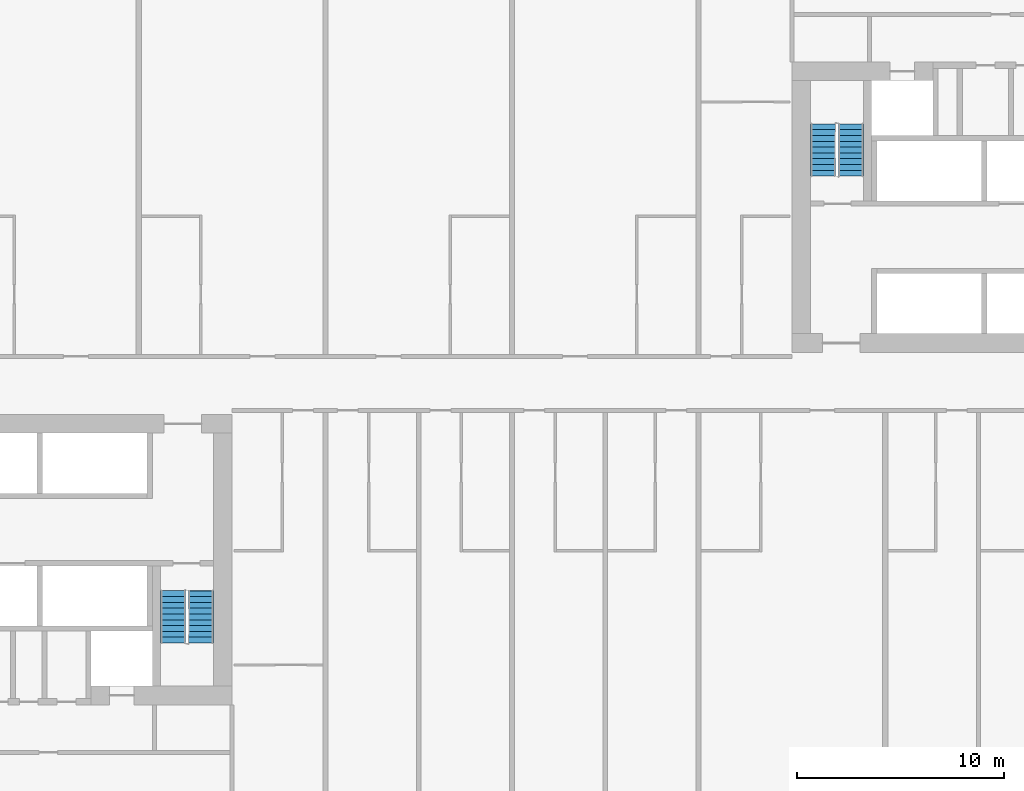
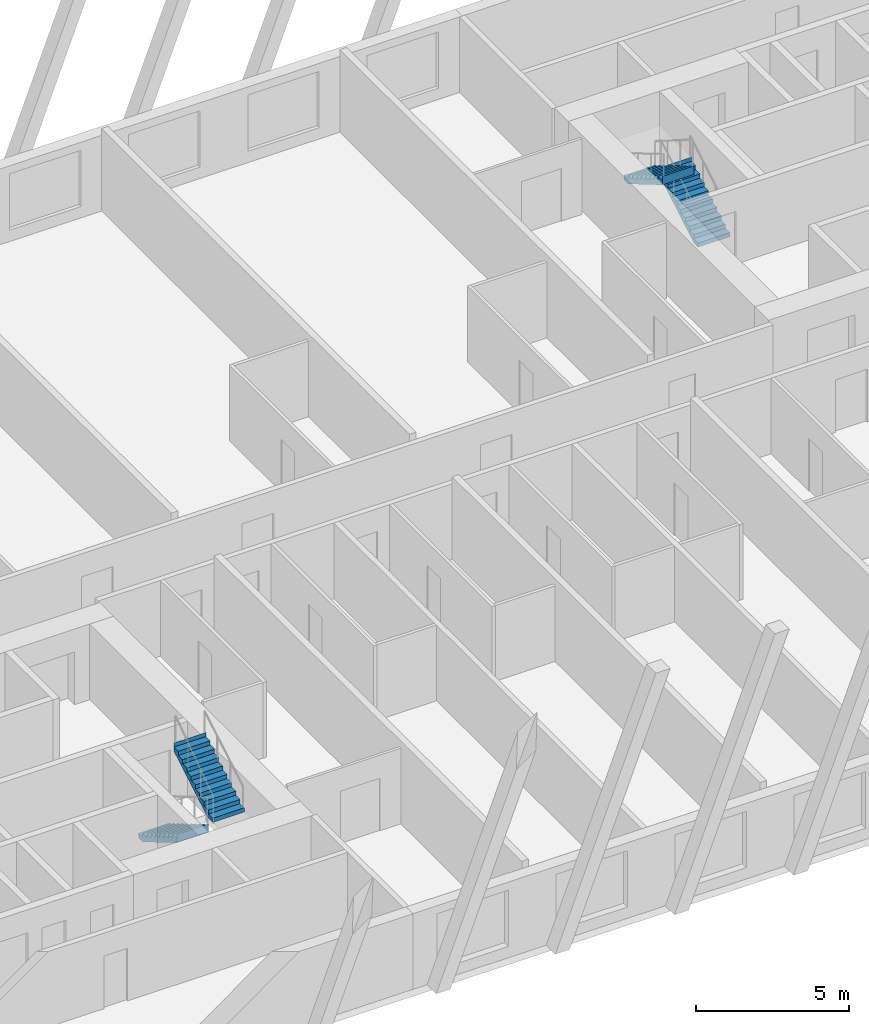
# One storey, part 10 of 13: 4 stair flights, 2 elements without a shape of their own.
"""IFC4 building model written with IfcOpenShell, lengths in metres."""

from ifc_helpers import new_model, si_unit, direction, frame, origin, place, context, subcontext, project, spatial, faceted_brep, material, type_object, element, aggregate, save


model = new_model("IFC4")

# Units and contexts
model_context = context("Model", 3, precision=1e-05, world=origin(), true_north=direction((0.0, 1.0)))
body_context = subcontext(model_context, "Body", "Model", "MODEL_VIEW")
ifc_project = project(units=[si_unit("LENGTHUNIT", "METRE"), si_unit("AREAUNIT", "SQUARE_METRE"), si_unit("VOLUMEUNIT", "CUBIC_METRE"), si_unit("PLANEANGLEUNIT", "RADIAN"), si_unit("MASSUNIT", "GRAM", prefix="KILO")], contexts=[model_context])

# Site, building, storey
site_placement = place(None, origin())
site = spatial("IfcSite", under=ifc_project, at=site_placement, CompositionType="ELEMENT")
building_placement = place(site_placement, origin())
building = spatial("IfcBuilding", under=site, at=building_placement, Name="Kajstack Hotel Tower", CompositionType="ELEMENT")
storey_placement = place(building_placement, frame((0.0, 0.0, 89.699951171875)))
storey = spatial("IfcBuildingStorey", under=building, at=storey_placement, Name="L18", CompositionType="ELEMENT", Elevation=89.699951171875)

# Stair, stair flights
ifc_material = material(Name="Concrete C40/50", Category="concrete")
stair_type = type_object("IfcStairType", Name="Exit stair 1200", PredefinedType="HALF_TURN_STAIR", material=ifc_material)
stair_1_placement = place(storey_placement, origin())
stair_1 = element("IfcStair", 1, at=stair_1_placement, inside=storey, type_object=stair_type, Name="L18 stair W2", PredefinedType="HALF_TURN_STAIR")
stair_flight_type = type_object("IfcStairFlightType", Name="Exit stair flight 1200", PredefinedType="STRAIGHT", material=ifc_material)
stair_flight_1_placement = place(storey_placement, frame((-16.35009765625, -10.0, 0.0), z_axis=(0.0, 0.0, 1.0), x_axis=(0.0, -1.0, 0.0)))
stair_flight_1 = element("IfcStairFlight", 2, at=stair_flight_1_placement, type_object=stair_flight_type, Name="W2 flight 1", NumberOfRisers=10, NumberOfTreads=9, PredefinedType="STRAIGHT", RiserHeight=0.165, TreadLength=0.28, context=body_context, shape_type="Brep", body=[
    faceted_brep([(0.295654296875, -0.60009765625, 0.0), (2.5205078125, -0.60009765625, 1.31103515625), (2.5205078125, -0.60009765625, 1.64990234375), (2.52001953125, -0.60009765625, 1.64990234375), (2.52001953125, -0.60009765625, 1.485107421875), (2.239990234375, -0.60009765625, 1.485107421875), (2.239990234375, -0.60009765625, 1.320068359375), (1.9599609375, -0.60009765625, 1.320068359375), (1.9599609375, -0.60009765625, 1.155029296875), (1.679931640625, -0.60009765625, 1.155029296875), (1.679931640625, -0.60009765625, 0.989990234375), (1.39990234375, -0.60009765625, 0.989990234375), (1.39990234375, -0.60009765625, 0.824951171875), (1.1201171875, -0.60009765625, 0.824951171875), (1.1201171875, -0.60009765625, 0.659912109375), (0.840087890625, -0.60009765625, 0.659912109375), (0.840087890625, -0.60009765625, 0.4951171875), (0.56005859375, -0.60009765625, 0.4951171875), (0.56005859375, -0.60009765625, 0.330078125), (0.280029296875, -0.60009765625, 0.330078125), (0.280029296875, -0.60009765625, 0.1650390625), (-0.00048828125, -0.60009765625, 0.1650390625), (-0.00048828125, -0.60009765625, 0.0), (-0.00048828125, 0.60009765625, 0.0), (-0.00048828125, 0.60009765625, 0.1650390625), (0.280029296875, 0.60009765625, 0.1650390625), (0.280029296875, 0.60009765625, 0.330078125), (0.56005859375, 0.60009765625, 0.330078125), (0.56005859375, 0.60009765625, 0.4951171875), (0.840087890625, 0.60009765625, 0.4951171875), (0.840087890625, 0.60009765625, 0.659912109375), (1.1201171875, 0.60009765625, 0.659912109375), (1.1201171875, 0.60009765625, 0.824951171875), (1.39990234375, 0.60009765625, 0.824951171875), (1.39990234375, 0.60009765625, 0.989990234375), (1.679931640625, 0.60009765625, 0.989990234375), (1.679931640625, 0.60009765625, 1.155029296875), (1.9599609375, 0.60009765625, 1.155029296875), (1.9599609375, 0.60009765625, 1.320068359375), (2.239990234375, 0.60009765625, 1.320068359375), (2.239990234375, 0.60009765625, 1.485107421875), (2.52001953125, 0.60009765625, 1.485107421875), (2.52001953125, 0.60009765625, 1.64990234375), (2.5205078125, 0.60009765625, 1.64990234375), (2.5205078125, 0.60009765625, 1.31103515625), (0.295654296875, 0.60009765625, 0.0), (-0.00048828125, -0.300048828125, 0.1650390625), (-0.00048828125, 0.0, 0.1650390625), (-0.00048828125, 0.300048828125, 0.1650390625), (-0.00048828125, 0.300048828125, 0.0), (-0.00048828125, 0.0, 0.0), (-0.00048828125, -0.300048828125, 0.0), (0.280029296875, -0.300048828125, 0.1650390625), (0.280029296875, 0.0, 0.1650390625), (0.280029296875, 0.300048828125, 0.1650390625), (0.280029296875, -0.300048828125, 0.330078125), (0.280029296875, 0.0, 0.330078125), (0.280029296875, 0.300048828125, 0.330078125), (0.56005859375, -0.300048828125, 0.330078125), (0.56005859375, 0.0, 0.330078125), (0.56005859375, 0.300048828125, 0.330078125), (0.56005859375, -0.300048828125, 0.4951171875), (0.56005859375, 0.0, 0.4951171875), (0.56005859375, 0.300048828125, 0.4951171875), (0.840087890625, -0.300048828125, 0.4951171875), (0.840087890625, 0.0, 0.4951171875), (0.840087890625, 0.300048828125, 0.4951171875), (0.840087890625, -0.300048828125, 0.659912109375), (0.840087890625, 0.0, 0.659912109375), (0.840087890625, 0.300048828125, 0.659912109375), (1.1201171875, -0.300048828125, 0.659912109375), (1.1201171875, 0.0, 0.659912109375), (1.1201171875, 0.300048828125, 0.659912109375), (1.1201171875, -0.300048828125, 0.824951171875), (1.1201171875, 0.0, 0.824951171875), (1.1201171875, 0.300048828125, 0.824951171875), (1.39990234375, -0.300048828125, 0.824951171875), (1.39990234375, 0.0, 0.824951171875), (1.39990234375, 0.300048828125, 0.824951171875), (1.39990234375, -0.300048828125, 0.989990234375), (1.39990234375, 0.0, 0.989990234375), (1.39990234375, 0.300048828125, 0.989990234375), (1.679931640625, -0.300048828125, 0.989990234375), (1.679931640625, 0.0, 0.989990234375), (1.679931640625, 0.300048828125, 0.989990234375), (1.679931640625, -0.300048828125, 1.155029296875), (1.679931640625, 0.0, 1.155029296875), (1.679931640625, 0.300048828125, 1.155029296875), (1.9599609375, -0.300048828125, 1.155029296875), (1.9599609375, 0.0, 1.155029296875), (1.9599609375, 0.300048828125, 1.155029296875), (1.9599609375, -0.300048828125, 1.320068359375), (1.9599609375, 0.0, 1.320068359375), (1.9599609375, 0.300048828125, 1.320068359375), (2.239990234375, -0.300048828125, 1.320068359375), (2.239990234375, 0.0, 1.320068359375), (2.239990234375, 0.300048828125, 1.320068359375), (2.239990234375, -0.300048828125, 1.485107421875), (2.239990234375, 0.0, 1.485107421875), (2.239990234375, 0.300048828125, 1.485107421875), (2.52001953125, -0.300048828125, 1.485107421875), (2.52001953125, 0.0, 1.485107421875), (2.52001953125, 0.300048828125, 1.485107421875), (2.52001953125, -0.300048828125, 1.64990234375), (2.52001953125, 0.0, 1.64990234375), (2.52001953125, 0.300048828125, 1.64990234375), (2.5205078125, -0.300048828125, 1.64990234375), (2.5205078125, 0.0, 1.64990234375), (2.5205078125, 0.300048828125, 1.64990234375), (2.5205078125, -0.300048828125, 1.31103515625), (2.5205078125, 0.0, 1.31103515625), (2.5205078125, 0.300048828125, 1.31103515625), (0.295654296875, -0.300048828125, 0.0), (0.295654296875, 0.0, 0.0), (0.295654296875, 0.300048828125, 0.0)], [[[0, 1, 2, 3, 4, 5, 6, 7, 8, 9, 10, 11, 12, 13, 14, 15, 16, 17, 18, 19, 20, 21, 22]], [[23, 24, 25, 26, 27, 28, 29, 30, 31, 32, 33, 34, 35, 36, 37, 38, 39, 40, 41, 42, 43, 44, 45]], [[21, 46, 47, 48, 24, 23, 49, 50, 51, 22]], [[20, 52, 53, 54, 25, 24, 48, 47, 46, 21]], [[19, 55, 56, 57, 26, 25, 54, 53, 52, 20]], [[18, 58, 59, 60, 27, 26, 57, 56, 55, 19]], [[17, 61, 62, 63, 28, 27, 60, 59, 58, 18]], [[16, 64, 65, 66, 29, 28, 63, 62, 61, 17]], [[15, 67, 68, 69, 30, 29, 66, 65, 64, 16]], [[14, 70, 71, 72, 31, 30, 69, 68, 67, 15]], [[13, 73, 74, 75, 32, 31, 72, 71, 70, 14]], [[12, 76, 77, 78, 33, 32, 75, 74, 73, 13]], [[11, 79, 80, 81, 34, 33, 78, 77, 76, 12]], [[10, 82, 83, 84, 35, 34, 81, 80, 79, 11]], [[9, 85, 86, 87, 36, 35, 84, 83, 82, 10]], [[8, 88, 89, 90, 37, 36, 87, 86, 85, 9]], [[7, 91, 92, 93, 38, 37, 90, 89, 88, 8]], [[6, 94, 95, 96, 39, 38, 93, 92, 91, 7]], [[5, 97, 98, 99, 40, 39, 96, 95, 94, 6]], [[4, 100, 101, 102, 41, 40, 99, 98, 97, 5]], [[3, 103, 104, 105, 42, 41, 102, 101, 100, 4]], [[2, 106, 107, 108, 43, 42, 105, 104, 103, 3]], [[1, 109, 110, 111, 44, 43, 108, 107, 106, 2]], [[0, 112, 113, 114, 45, 44, 111, 110, 109, 1]], [[22, 51, 50, 49, 23, 45, 114, 113, 112, 0]]]),
])
stair_flight_2_placement = place(storey_placement, frame((-15.0, -12.52001953125, 1.650146484375), z_axis=(0.0, 0.0, 1.0), x_axis=(0.0, 1.0, 0.0)))
stair_flight_2 = element("IfcStairFlight", 3, at=stair_flight_2_placement, type_object=stair_flight_type, Name="W2 flight 2", NumberOfRisers=10, NumberOfTreads=9, PredefinedType="STRAIGHT", RiserHeight=0.165, TreadLength=0.28, context=body_context, shape_type="Brep", body=[
    faceted_brep([(0.295654296875, -0.60009765625, 0.0), (2.5205078125, -0.60009765625, 1.31103515625), (2.5205078125, -0.60009765625, 1.64990234375), (2.52001953125, -0.60009765625, 1.64990234375), (2.52001953125, -0.60009765625, 1.485107421875), (2.239990234375, -0.60009765625, 1.485107421875), (2.239990234375, -0.60009765625, 1.320068359375), (1.9599609375, -0.60009765625, 1.320068359375), (1.9599609375, -0.60009765625, 1.155029296875), (1.679931640625, -0.60009765625, 1.155029296875), (1.679931640625, -0.60009765625, 0.989990234375), (1.39990234375, -0.60009765625, 0.989990234375), (1.39990234375, -0.60009765625, 0.824951171875), (1.1201171875, -0.60009765625, 0.824951171875), (1.1201171875, -0.60009765625, 0.659912109375), (0.840087890625, -0.60009765625, 0.659912109375), (0.840087890625, -0.60009765625, 0.4951171875), (0.56005859375, -0.60009765625, 0.4951171875), (0.56005859375, -0.60009765625, 0.330078125), (0.280029296875, -0.60009765625, 0.330078125), (0.280029296875, -0.60009765625, 0.1650390625), (-0.00048828125, -0.60009765625, 0.1650390625), (-0.00048828125, -0.60009765625, 0.0), (-0.00048828125, 0.60009765625, 0.0), (-0.00048828125, 0.60009765625, 0.1650390625), (0.280029296875, 0.60009765625, 0.1650390625), (0.280029296875, 0.60009765625, 0.330078125), (0.56005859375, 0.60009765625, 0.330078125), (0.56005859375, 0.60009765625, 0.4951171875), (0.840087890625, 0.60009765625, 0.4951171875), (0.840087890625, 0.60009765625, 0.659912109375), (1.1201171875, 0.60009765625, 0.659912109375), (1.1201171875, 0.60009765625, 0.824951171875), (1.39990234375, 0.60009765625, 0.824951171875), (1.39990234375, 0.60009765625, 0.989990234375), (1.679931640625, 0.60009765625, 0.989990234375), (1.679931640625, 0.60009765625, 1.155029296875), (1.9599609375, 0.60009765625, 1.155029296875), (1.9599609375, 0.60009765625, 1.320068359375), (2.239990234375, 0.60009765625, 1.320068359375), (2.239990234375, 0.60009765625, 1.485107421875), (2.52001953125, 0.60009765625, 1.485107421875), (2.52001953125, 0.60009765625, 1.64990234375), (2.5205078125, 0.60009765625, 1.64990234375), (2.5205078125, 0.60009765625, 1.31103515625), (0.295654296875, 0.60009765625, 0.0), (-0.00048828125, -0.300048828125, 0.1650390625), (-0.00048828125, 0.0, 0.1650390625), (-0.00048828125, 0.300048828125, 0.1650390625), (-0.00048828125, 0.300048828125, 0.0), (-0.00048828125, 0.0, 0.0), (-0.00048828125, -0.300048828125, 0.0), (0.280029296875, -0.300048828125, 0.1650390625), (0.280029296875, 0.0, 0.1650390625), (0.280029296875, 0.300048828125, 0.1650390625), (0.280029296875, -0.300048828125, 0.330078125), (0.280029296875, 0.0, 0.330078125), (0.280029296875, 0.300048828125, 0.330078125), (0.56005859375, -0.300048828125, 0.330078125), (0.56005859375, 0.0, 0.330078125), (0.56005859375, 0.300048828125, 0.330078125), (0.56005859375, -0.300048828125, 0.4951171875), (0.56005859375, 0.0, 0.4951171875), (0.56005859375, 0.300048828125, 0.4951171875), (0.840087890625, -0.300048828125, 0.4951171875), (0.840087890625, 0.0, 0.4951171875), (0.840087890625, 0.300048828125, 0.4951171875), (0.840087890625, -0.300048828125, 0.659912109375), (0.840087890625, 0.0, 0.659912109375), (0.840087890625, 0.300048828125, 0.659912109375), (1.1201171875, -0.300048828125, 0.659912109375), (1.1201171875, 0.0, 0.659912109375), (1.1201171875, 0.300048828125, 0.659912109375), (1.1201171875, -0.300048828125, 0.824951171875), (1.1201171875, 0.0, 0.824951171875), (1.1201171875, 0.300048828125, 0.824951171875), (1.39990234375, -0.300048828125, 0.824951171875), (1.39990234375, 0.0, 0.824951171875), (1.39990234375, 0.300048828125, 0.824951171875), (1.39990234375, -0.300048828125, 0.989990234375), (1.39990234375, 0.0, 0.989990234375), (1.39990234375, 0.300048828125, 0.989990234375), (1.679931640625, -0.300048828125, 0.989990234375), (1.679931640625, 0.0, 0.989990234375), (1.679931640625, 0.300048828125, 0.989990234375), (1.679931640625, -0.300048828125, 1.155029296875), (1.679931640625, 0.0, 1.155029296875), (1.679931640625, 0.300048828125, 1.155029296875), (1.9599609375, -0.300048828125, 1.155029296875), (1.9599609375, 0.0, 1.155029296875), (1.9599609375, 0.300048828125, 1.155029296875), (1.9599609375, -0.300048828125, 1.320068359375), (1.9599609375, 0.0, 1.320068359375), (1.9599609375, 0.300048828125, 1.320068359375), (2.239990234375, -0.300048828125, 1.320068359375), (2.239990234375, 0.0, 1.320068359375), (2.239990234375, 0.300048828125, 1.320068359375), (2.239990234375, -0.300048828125, 1.485107421875), (2.239990234375, 0.0, 1.485107421875), (2.239990234375, 0.300048828125, 1.485107421875), (2.52001953125, -0.300048828125, 1.485107421875), (2.52001953125, 0.0, 1.485107421875), (2.52001953125, 0.300048828125, 1.485107421875), (2.52001953125, -0.300048828125, 1.64990234375), (2.52001953125, 0.0, 1.64990234375), (2.52001953125, 0.300048828125, 1.64990234375), (2.5205078125, -0.300048828125, 1.64990234375), (2.5205078125, 0.0, 1.64990234375), (2.5205078125, 0.300048828125, 1.64990234375), (2.5205078125, -0.300048828125, 1.31103515625), (2.5205078125, 0.0, 1.31103515625), (2.5205078125, 0.300048828125, 1.31103515625), (0.295654296875, -0.300048828125, 0.0), (0.295654296875, 0.0, 0.0), (0.295654296875, 0.300048828125, 0.0)], [[[0, 1, 2, 3, 4, 5, 6, 7, 8, 9, 10, 11, 12, 13, 14, 15, 16, 17, 18, 19, 20, 21, 22]], [[23, 24, 25, 26, 27, 28, 29, 30, 31, 32, 33, 34, 35, 36, 37, 38, 39, 40, 41, 42, 43, 44, 45]], [[21, 46, 47, 48, 24, 23, 49, 50, 51, 22]], [[20, 52, 53, 54, 25, 24, 48, 47, 46, 21]], [[19, 55, 56, 57, 26, 25, 54, 53, 52, 20]], [[18, 58, 59, 60, 27, 26, 57, 56, 55, 19]], [[17, 61, 62, 63, 28, 27, 60, 59, 58, 18]], [[16, 64, 65, 66, 29, 28, 63, 62, 61, 17]], [[15, 67, 68, 69, 30, 29, 66, 65, 64, 16]], [[14, 70, 71, 72, 31, 30, 69, 68, 67, 15]], [[13, 73, 74, 75, 32, 31, 72, 71, 70, 14]], [[12, 76, 77, 78, 33, 32, 75, 74, 73, 13]], [[11, 79, 80, 81, 34, 33, 78, 77, 76, 12]], [[10, 82, 83, 84, 35, 34, 81, 80, 79, 11]], [[9, 85, 86, 87, 36, 35, 84, 83, 82, 10]], [[8, 88, 89, 90, 37, 36, 87, 86, 85, 9]], [[7, 91, 92, 93, 38, 37, 90, 89, 88, 8]], [[6, 94, 95, 96, 39, 38, 93, 92, 91, 7]], [[5, 97, 98, 99, 40, 39, 96, 95, 94, 6]], [[4, 100, 101, 102, 41, 40, 99, 98, 97, 5]], [[3, 103, 104, 105, 42, 41, 102, 101, 100, 4]], [[2, 106, 107, 108, 43, 42, 105, 104, 103, 3]], [[1, 109, 110, 111, 44, 43, 108, 107, 106, 2]], [[0, 112, 113, 114, 45, 44, 111, 110, 109, 1]], [[22, 51, 50, 49, 23, 45, 114, 113, 112, 0]]]),
])
aggregate(stair_1, [stair_flight_1, stair_flight_2])

stair_2_placement = place(storey_placement, origin())
stair_2 = element("IfcStair", 4, at=stair_2_placement, inside=storey, type_object=stair_type, Name="L18 stair E2", PredefinedType="HALF_TURN_STAIR")
stair_flight_3_placement = place(storey_placement, frame((16.35009765625, 10.0, 0.0), z_axis=(0.0, 0.0, 1.0), x_axis=(0.0, 1.0, 0.0)))
stair_flight_3 = element("IfcStairFlight", 5, at=stair_flight_3_placement, type_object=stair_flight_type, Name="E2 flight 1", NumberOfRisers=10, NumberOfTreads=9, PredefinedType="STRAIGHT", RiserHeight=0.165, TreadLength=0.28, context=body_context, shape_type="Brep", body=[
    faceted_brep([(0.295654296875, -0.60009765625, 0.0), (2.5205078125, -0.60009765625, 1.31103515625), (2.5205078125, -0.60009765625, 1.64990234375), (2.52001953125, -0.60009765625, 1.64990234375), (2.52001953125, -0.60009765625, 1.485107421875), (2.239990234375, -0.60009765625, 1.485107421875), (2.239990234375, -0.60009765625, 1.320068359375), (1.9599609375, -0.60009765625, 1.320068359375), (1.9599609375, -0.60009765625, 1.155029296875), (1.679931640625, -0.60009765625, 1.155029296875), (1.679931640625, -0.60009765625, 0.989990234375), (1.39990234375, -0.60009765625, 0.989990234375), (1.39990234375, -0.60009765625, 0.824951171875), (1.1201171875, -0.60009765625, 0.824951171875), (1.1201171875, -0.60009765625, 0.659912109375), (0.840087890625, -0.60009765625, 0.659912109375), (0.840087890625, -0.60009765625, 0.4951171875), (0.56005859375, -0.60009765625, 0.4951171875), (0.56005859375, -0.60009765625, 0.330078125), (0.280029296875, -0.60009765625, 0.330078125), (0.280029296875, -0.60009765625, 0.1650390625), (-0.00048828125, -0.60009765625, 0.1650390625), (-0.00048828125, -0.60009765625, 0.0), (-0.00048828125, 0.60009765625, 0.0), (-0.00048828125, 0.60009765625, 0.1650390625), (0.280029296875, 0.60009765625, 0.1650390625), (0.280029296875, 0.60009765625, 0.330078125), (0.56005859375, 0.60009765625, 0.330078125), (0.56005859375, 0.60009765625, 0.4951171875), (0.840087890625, 0.60009765625, 0.4951171875), (0.840087890625, 0.60009765625, 0.659912109375), (1.1201171875, 0.60009765625, 0.659912109375), (1.1201171875, 0.60009765625, 0.824951171875), (1.39990234375, 0.60009765625, 0.824951171875), (1.39990234375, 0.60009765625, 0.989990234375), (1.679931640625, 0.60009765625, 0.989990234375), (1.679931640625, 0.60009765625, 1.155029296875), (1.9599609375, 0.60009765625, 1.155029296875), (1.9599609375, 0.60009765625, 1.320068359375), (2.239990234375, 0.60009765625, 1.320068359375), (2.239990234375, 0.60009765625, 1.485107421875), (2.52001953125, 0.60009765625, 1.485107421875), (2.52001953125, 0.60009765625, 1.64990234375), (2.5205078125, 0.60009765625, 1.64990234375), (2.5205078125, 0.60009765625, 1.31103515625), (0.295654296875, 0.60009765625, 0.0), (-0.00048828125, -0.300048828125, 0.1650390625), (-0.00048828125, 0.0, 0.1650390625), (-0.00048828125, 0.300048828125, 0.1650390625), (-0.00048828125, 0.300048828125, 0.0), (-0.00048828125, 0.0, 0.0), (-0.00048828125, -0.300048828125, 0.0), (0.280029296875, -0.300048828125, 0.1650390625), (0.280029296875, 0.0, 0.1650390625), (0.280029296875, 0.300048828125, 0.1650390625), (0.280029296875, -0.300048828125, 0.330078125), (0.280029296875, 0.0, 0.330078125), (0.280029296875, 0.300048828125, 0.330078125), (0.56005859375, -0.300048828125, 0.330078125), (0.56005859375, 0.0, 0.330078125), (0.56005859375, 0.300048828125, 0.330078125), (0.56005859375, -0.300048828125, 0.4951171875), (0.56005859375, 0.0, 0.4951171875), (0.56005859375, 0.300048828125, 0.4951171875), (0.840087890625, -0.300048828125, 0.4951171875), (0.840087890625, 0.0, 0.4951171875), (0.840087890625, 0.300048828125, 0.4951171875), (0.840087890625, -0.300048828125, 0.659912109375), (0.840087890625, 0.0, 0.659912109375), (0.840087890625, 0.300048828125, 0.659912109375), (1.1201171875, -0.300048828125, 0.659912109375), (1.1201171875, 0.0, 0.659912109375), (1.1201171875, 0.300048828125, 0.659912109375), (1.1201171875, -0.300048828125, 0.824951171875), (1.1201171875, 0.0, 0.824951171875), (1.1201171875, 0.300048828125, 0.824951171875), (1.39990234375, -0.300048828125, 0.824951171875), (1.39990234375, 0.0, 0.824951171875), (1.39990234375, 0.300048828125, 0.824951171875), (1.39990234375, -0.300048828125, 0.989990234375), (1.39990234375, 0.0, 0.989990234375), (1.39990234375, 0.300048828125, 0.989990234375), (1.679931640625, -0.300048828125, 0.989990234375), (1.679931640625, 0.0, 0.989990234375), (1.679931640625, 0.300048828125, 0.989990234375), (1.679931640625, -0.300048828125, 1.155029296875), (1.679931640625, 0.0, 1.155029296875), (1.679931640625, 0.300048828125, 1.155029296875), (1.9599609375, -0.300048828125, 1.155029296875), (1.9599609375, 0.0, 1.155029296875), (1.9599609375, 0.300048828125, 1.155029296875), (1.9599609375, -0.300048828125, 1.320068359375), (1.9599609375, 0.0, 1.320068359375), (1.9599609375, 0.300048828125, 1.320068359375), (2.239990234375, -0.300048828125, 1.320068359375), (2.239990234375, 0.0, 1.320068359375), (2.239990234375, 0.300048828125, 1.320068359375), (2.239990234375, -0.300048828125, 1.485107421875), (2.239990234375, 0.0, 1.485107421875), (2.239990234375, 0.300048828125, 1.485107421875), (2.52001953125, -0.300048828125, 1.485107421875), (2.52001953125, 0.0, 1.485107421875), (2.52001953125, 0.300048828125, 1.485107421875), (2.52001953125, -0.300048828125, 1.64990234375), (2.52001953125, 0.0, 1.64990234375), (2.52001953125, 0.300048828125, 1.64990234375), (2.5205078125, -0.300048828125, 1.64990234375), (2.5205078125, 0.0, 1.64990234375), (2.5205078125, 0.300048828125, 1.64990234375), (2.5205078125, -0.300048828125, 1.31103515625), (2.5205078125, 0.0, 1.31103515625), (2.5205078125, 0.300048828125, 1.31103515625), (0.295654296875, -0.300048828125, 0.0), (0.295654296875, 0.0, 0.0), (0.295654296875, 0.300048828125, 0.0)], [[[0, 1, 2, 3, 4, 5, 6, 7, 8, 9, 10, 11, 12, 13, 14, 15, 16, 17, 18, 19, 20, 21, 22]], [[23, 24, 25, 26, 27, 28, 29, 30, 31, 32, 33, 34, 35, 36, 37, 38, 39, 40, 41, 42, 43, 44, 45]], [[21, 46, 47, 48, 24, 23, 49, 50, 51, 22]], [[20, 52, 53, 54, 25, 24, 48, 47, 46, 21]], [[19, 55, 56, 57, 26, 25, 54, 53, 52, 20]], [[18, 58, 59, 60, 27, 26, 57, 56, 55, 19]], [[17, 61, 62, 63, 28, 27, 60, 59, 58, 18]], [[16, 64, 65, 66, 29, 28, 63, 62, 61, 17]], [[15, 67, 68, 69, 30, 29, 66, 65, 64, 16]], [[14, 70, 71, 72, 31, 30, 69, 68, 67, 15]], [[13, 73, 74, 75, 32, 31, 72, 71, 70, 14]], [[12, 76, 77, 78, 33, 32, 75, 74, 73, 13]], [[11, 79, 80, 81, 34, 33, 78, 77, 76, 12]], [[10, 82, 83, 84, 35, 34, 81, 80, 79, 11]], [[9, 85, 86, 87, 36, 35, 84, 83, 82, 10]], [[8, 88, 89, 90, 37, 36, 87, 86, 85, 9]], [[7, 91, 92, 93, 38, 37, 90, 89, 88, 8]], [[6, 94, 95, 96, 39, 38, 93, 92, 91, 7]], [[5, 97, 98, 99, 40, 39, 96, 95, 94, 6]], [[4, 100, 101, 102, 41, 40, 99, 98, 97, 5]], [[3, 103, 104, 105, 42, 41, 102, 101, 100, 4]], [[2, 106, 107, 108, 43, 42, 105, 104, 103, 3]], [[1, 109, 110, 111, 44, 43, 108, 107, 106, 2]], [[0, 112, 113, 114, 45, 44, 111, 110, 109, 1]], [[22, 51, 50, 49, 23, 45, 114, 113, 112, 0]]]),
])
stair_flight_4_placement = place(storey_placement, frame((15.0, 12.52001953125, 1.650146484375), z_axis=(0.0, 0.0, 1.0), x_axis=(0.0, -1.0, 0.0)))
stair_flight_4 = element("IfcStairFlight", 6, at=stair_flight_4_placement, type_object=stair_flight_type, Name="E2 flight 2", NumberOfRisers=10, NumberOfTreads=9, PredefinedType="STRAIGHT", RiserHeight=0.165, TreadLength=0.28, context=body_context, shape_type="Brep", body=[
    faceted_brep([(0.295654296875, -0.60009765625, 0.0), (2.5205078125, -0.60009765625, 1.31103515625), (2.5205078125, -0.60009765625, 1.64990234375), (2.52001953125, -0.60009765625, 1.64990234375), (2.52001953125, -0.60009765625, 1.485107421875), (2.239990234375, -0.60009765625, 1.485107421875), (2.239990234375, -0.60009765625, 1.320068359375), (1.9599609375, -0.60009765625, 1.320068359375), (1.9599609375, -0.60009765625, 1.155029296875), (1.679931640625, -0.60009765625, 1.155029296875), (1.679931640625, -0.60009765625, 0.989990234375), (1.39990234375, -0.60009765625, 0.989990234375), (1.39990234375, -0.60009765625, 0.824951171875), (1.1201171875, -0.60009765625, 0.824951171875), (1.1201171875, -0.60009765625, 0.659912109375), (0.840087890625, -0.60009765625, 0.659912109375), (0.840087890625, -0.60009765625, 0.4951171875), (0.56005859375, -0.60009765625, 0.4951171875), (0.56005859375, -0.60009765625, 0.330078125), (0.280029296875, -0.60009765625, 0.330078125), (0.280029296875, -0.60009765625, 0.1650390625), (-0.00048828125, -0.60009765625, 0.1650390625), (-0.00048828125, -0.60009765625, 0.0), (-0.00048828125, 0.60009765625, 0.0), (-0.00048828125, 0.60009765625, 0.1650390625), (0.280029296875, 0.60009765625, 0.1650390625), (0.280029296875, 0.60009765625, 0.330078125), (0.56005859375, 0.60009765625, 0.330078125), (0.56005859375, 0.60009765625, 0.4951171875), (0.840087890625, 0.60009765625, 0.4951171875), (0.840087890625, 0.60009765625, 0.659912109375), (1.1201171875, 0.60009765625, 0.659912109375), (1.1201171875, 0.60009765625, 0.824951171875), (1.39990234375, 0.60009765625, 0.824951171875), (1.39990234375, 0.60009765625, 0.989990234375), (1.679931640625, 0.60009765625, 0.989990234375), (1.679931640625, 0.60009765625, 1.155029296875), (1.9599609375, 0.60009765625, 1.155029296875), (1.9599609375, 0.60009765625, 1.320068359375), (2.239990234375, 0.60009765625, 1.320068359375), (2.239990234375, 0.60009765625, 1.485107421875), (2.52001953125, 0.60009765625, 1.485107421875), (2.52001953125, 0.60009765625, 1.64990234375), (2.5205078125, 0.60009765625, 1.64990234375), (2.5205078125, 0.60009765625, 1.31103515625), (0.295654296875, 0.60009765625, 0.0), (-0.00048828125, -0.300048828125, 0.1650390625), (-0.00048828125, 0.0, 0.1650390625), (-0.00048828125, 0.300048828125, 0.1650390625), (-0.00048828125, 0.300048828125, 0.0), (-0.00048828125, 0.0, 0.0), (-0.00048828125, -0.300048828125, 0.0), (0.280029296875, -0.300048828125, 0.1650390625), (0.280029296875, 0.0, 0.1650390625), (0.280029296875, 0.300048828125, 0.1650390625), (0.280029296875, -0.300048828125, 0.330078125), (0.280029296875, 0.0, 0.330078125), (0.280029296875, 0.300048828125, 0.330078125), (0.56005859375, -0.300048828125, 0.330078125), (0.56005859375, 0.0, 0.330078125), (0.56005859375, 0.300048828125, 0.330078125), (0.56005859375, -0.300048828125, 0.4951171875), (0.56005859375, 0.0, 0.4951171875), (0.56005859375, 0.300048828125, 0.4951171875), (0.840087890625, -0.300048828125, 0.4951171875), (0.840087890625, 0.0, 0.4951171875), (0.840087890625, 0.300048828125, 0.4951171875), (0.840087890625, -0.300048828125, 0.659912109375), (0.840087890625, 0.0, 0.659912109375), (0.840087890625, 0.300048828125, 0.659912109375), (1.1201171875, -0.300048828125, 0.659912109375), (1.1201171875, 0.0, 0.659912109375), (1.1201171875, 0.300048828125, 0.659912109375), (1.1201171875, -0.300048828125, 0.824951171875), (1.1201171875, 0.0, 0.824951171875), (1.1201171875, 0.300048828125, 0.824951171875), (1.39990234375, -0.300048828125, 0.824951171875), (1.39990234375, 0.0, 0.824951171875), (1.39990234375, 0.300048828125, 0.824951171875), (1.39990234375, -0.300048828125, 0.989990234375), (1.39990234375, 0.0, 0.989990234375), (1.39990234375, 0.300048828125, 0.989990234375), (1.679931640625, -0.300048828125, 0.989990234375), (1.679931640625, 0.0, 0.989990234375), (1.679931640625, 0.300048828125, 0.989990234375), (1.679931640625, -0.300048828125, 1.155029296875), (1.679931640625, 0.0, 1.155029296875), (1.679931640625, 0.300048828125, 1.155029296875), (1.9599609375, -0.300048828125, 1.155029296875), (1.9599609375, 0.0, 1.155029296875), (1.9599609375, 0.300048828125, 1.155029296875), (1.9599609375, -0.300048828125, 1.320068359375), (1.9599609375, 0.0, 1.320068359375), (1.9599609375, 0.300048828125, 1.320068359375), (2.239990234375, -0.300048828125, 1.320068359375), (2.239990234375, 0.0, 1.320068359375), (2.239990234375, 0.300048828125, 1.320068359375), (2.239990234375, -0.300048828125, 1.485107421875), (2.239990234375, 0.0, 1.485107421875), (2.239990234375, 0.300048828125, 1.485107421875), (2.52001953125, -0.300048828125, 1.485107421875), (2.52001953125, 0.0, 1.485107421875), (2.52001953125, 0.300048828125, 1.485107421875), (2.52001953125, -0.300048828125, 1.64990234375), (2.52001953125, 0.0, 1.64990234375), (2.52001953125, 0.300048828125, 1.64990234375), (2.5205078125, -0.300048828125, 1.64990234375), (2.5205078125, 0.0, 1.64990234375), (2.5205078125, 0.300048828125, 1.64990234375), (2.5205078125, -0.300048828125, 1.31103515625), (2.5205078125, 0.0, 1.31103515625), (2.5205078125, 0.300048828125, 1.31103515625), (0.295654296875, -0.300048828125, 0.0), (0.295654296875, 0.0, 0.0), (0.295654296875, 0.300048828125, 0.0)], [[[0, 1, 2, 3, 4, 5, 6, 7, 8, 9, 10, 11, 12, 13, 14, 15, 16, 17, 18, 19, 20, 21, 22]], [[23, 24, 25, 26, 27, 28, 29, 30, 31, 32, 33, 34, 35, 36, 37, 38, 39, 40, 41, 42, 43, 44, 45]], [[21, 46, 47, 48, 24, 23, 49, 50, 51, 22]], [[20, 52, 53, 54, 25, 24, 48, 47, 46, 21]], [[19, 55, 56, 57, 26, 25, 54, 53, 52, 20]], [[18, 58, 59, 60, 27, 26, 57, 56, 55, 19]], [[17, 61, 62, 63, 28, 27, 60, 59, 58, 18]], [[16, 64, 65, 66, 29, 28, 63, 62, 61, 17]], [[15, 67, 68, 69, 30, 29, 66, 65, 64, 16]], [[14, 70, 71, 72, 31, 30, 69, 68, 67, 15]], [[13, 73, 74, 75, 32, 31, 72, 71, 70, 14]], [[12, 76, 77, 78, 33, 32, 75, 74, 73, 13]], [[11, 79, 80, 81, 34, 33, 78, 77, 76, 12]], [[10, 82, 83, 84, 35, 34, 81, 80, 79, 11]], [[9, 85, 86, 87, 36, 35, 84, 83, 82, 10]], [[8, 88, 89, 90, 37, 36, 87, 86, 85, 9]], [[7, 91, 92, 93, 38, 37, 90, 89, 88, 8]], [[6, 94, 95, 96, 39, 38, 93, 92, 91, 7]], [[5, 97, 98, 99, 40, 39, 96, 95, 94, 6]], [[4, 100, 101, 102, 41, 40, 99, 98, 97, 5]], [[3, 103, 104, 105, 42, 41, 102, 101, 100, 4]], [[2, 106, 107, 108, 43, 42, 105, 104, 103, 3]], [[1, 109, 110, 111, 44, 43, 108, 107, 106, 2]], [[0, 112, 113, 114, 45, 44, 111, 110, 109, 1]], [[22, 51, 50, 49, 23, 45, 114, 113, 112, 0]]]),
])
aggregate(stair_2, [stair_flight_3, stair_flight_4])

save(model, "model.ifc")
